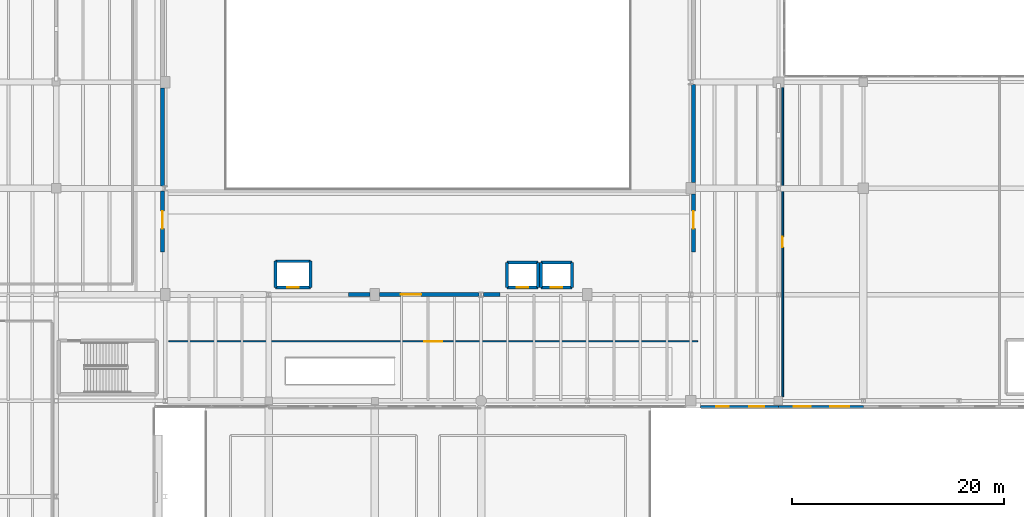
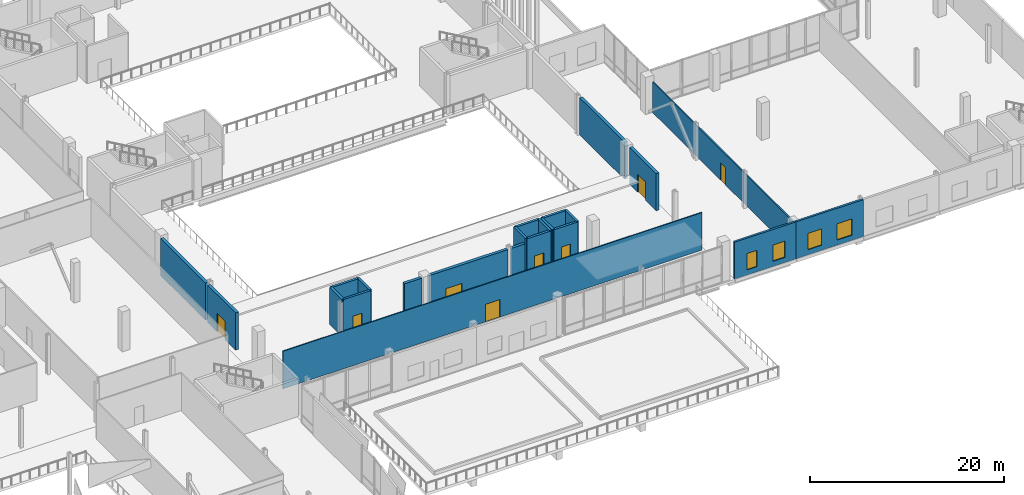
# One storey, part 43 of 60: 23 walls, 8 doors, 4 windows, 12 openings.
"""IFC4 building model written with IfcOpenShell, lengths in metres."""

import ifcopenshell
import ifcopenshell.guid

model = None  # the IFC model being written
_history = None  # IfcOwnerHistory: only IFC2X3 demands one
_inside = {}  # id of a spatial element -> (the spatial element, [elements in it])
_under = {}  # id of a project, library or spatial element -> (it, [spatial elements below it])
_declared = {}  # id of a project -> (the project, [libraries it declares])
_typed = {}  # id of a type object -> (the type object, [elements of that type])
_made_of = {}  # id of a material, layer set ... -> (it, [elements and type objects made of it])


def new_model(schema):
    """Start an empty IFC model of exactly this schema.

    Asked for "IFC4X3", IfcOpenShell would pick the latest addendum, in which some entities
    have other attributes; the version numbers below select the first issue.
    IFC2X3 requires an IfcOwnerHistory on every rooted entity: one is made here for all.
    """
    global model, _history
    if schema == "IFC4X3":
        model = ifcopenshell.file(schema_version=(4, 3, 0, 0))
    else:
        model = ifcopenshell.file(schema=schema)
    _inside.clear()
    _under.clear()
    _declared.clear()
    _typed.clear()
    _made_of.clear()
    _history = None
    if model.schema == "IFC2X3":
        org = make("IfcOrganization", Name="unknown")
        user = make(
            "IfcPersonAndOrganization",
            ThePerson=make("IfcPerson", FamilyName="unknown"),
            TheOrganization=org,
        )
        app = make(
            "IfcApplication",
            ApplicationDeveloper=org,
            Version="unknown",
            ApplicationFullName="unknown",
            ApplicationIdentifier="unknown",
        )
        _history = make(
            "IfcOwnerHistory",
            OwningUser=user,
            OwningApplication=app,
            ChangeAction="ADDED",
            CreationDate=0,
        )
    return model


def make(cls, **values):
    """One entity of the class cls with the attributes given. An attribute that is None is left unset."""
    return model.create_entity(
        cls, **{name: value for name, value in values.items() if value is not None}
    )


def rooted(cls, **values):
    """An entity with a GlobalId (a new one), such as an element, a storey or a relation."""
    return make(cls, GlobalId=ifcopenshell.guid.new(), OwnerHistory=_history, **values)


def si_unit(unit_type, name, prefix=None):
    """IfcSIUnit, for example si_unit("LENGTHUNIT", "METRE", prefix="MILLI")."""
    return make("IfcSIUnit", UnitType=unit_type, Prefix=prefix, Name=name)


def assignment(units):
    """IfcUnitAssignment: the units of a project."""
    return None if units is None else make("IfcUnitAssignment", Units=units)


def point(xyz):
    """IfcCartesianPoint."""
    return None if xyz is None else make("IfcCartesianPoint", Coordinates=xyz)


def direction(xyz):
    """IfcDirection."""
    return None if xyz is None else make("IfcDirection", DirectionRatios=xyz)


def frame(location, z_axis=None, x_axis=None):
    """IfcAxis2Placement3D, a coordinate frame: its origin and axes. An axis left out is left unset."""
    return make(
        "IfcAxis2Placement3D",
        Location=point(location),
        Axis=direction(z_axis),
        RefDirection=direction(x_axis),
    )


def frame_2d(location, x_axis=None):
    """IfcAxis2Placement2D, a coordinate frame in the plane: its origin and x axis."""
    return make(
        "IfcAxis2Placement2D", Location=point(location), RefDirection=direction(x_axis)
    )


def origin():
    """The frame at (0, 0, 0) with its axes left unset."""
    return frame((0.0, 0.0, 0.0))


def place(relative_to, where):
    """IfcLocalPlacement: puts the frame where relative to a parent placement (None: the world)."""
    return make(
        "IfcLocalPlacement", PlacementRelTo=relative_to, RelativePlacement=where
    )


def context(
    kind, dimensions, precision=None, world=None, true_north=None, identifier=None
):
    """IfcGeometricRepresentationContext, for example the 3D "Model" context."""
    return make(
        "IfcGeometricRepresentationContext",
        ContextIdentifier=identifier,
        ContextType=kind,
        CoordinateSpaceDimension=dimensions,
        Precision=precision,
        WorldCoordinateSystem=world,
        TrueNorth=true_north,
    )


def subcontext(parent, identifier, kind, view, scale=None):
    """IfcGeometricRepresentationSubContext, for example "Body" below "Model"."""
    return make(
        "IfcGeometricRepresentationSubContext",
        ContextIdentifier=identifier,
        ContextType=kind,
        ParentContext=parent,
        TargetScale=scale,
        TargetView=view,
    )


def project(units=None, contexts=None):
    """IfcProject with its units and contexts."""
    return rooted(
        "IfcProject",
        Name="project",
        RepresentationContexts=contexts,
        UnitsInContext=assignment(units),
    )


def spatial(cls, under=None, at=None, **own):
    """A site, building, storey or space (cls), placed at a placement, below another one or the project."""
    s = rooted(cls, ObjectPlacement=at, **own)
    if under is not None:
        _under.setdefault(under.id(), (under, []))[1].append(s)
    return s


def profile(cls, at=None, kind="AREA", **sizes):
    """A parametric profile (cls). Its sizes go by their IFC names, for example OverallWidth=200.0."""
    return make(cls, ProfileType=kind, Position=at, **sizes)


def rectangle(**sizes):
    """IfcRectangleProfileDef."""
    return profile("IfcRectangleProfileDef", **sizes)


def extrude(swept, where, along, depth):
    """IfcExtrudedAreaSolid: the profile swept, set in the frame where, extruded along a direction by depth."""
    return make(
        "IfcExtrudedAreaSolid",
        SweptArea=swept,
        Position=where,
        ExtrudedDirection=direction(along),
        Depth=depth,
    )


def shape(context_of_items, identifier, shape_type, items):
    """IfcShapeRepresentation: the items that make up one representation, for example the "Body"."""
    return make(
        "IfcShapeRepresentation",
        ContextOfItems=context_of_items,
        RepresentationIdentifier=identifier,
        RepresentationType=shape_type,
        Items=items,
    )


def material(Name=None, Category=None):
    """IfcMaterial."""
    return make("IfcMaterial", Name=Name, Category=Category)


def layer(
    of_material, thickness, ventilated=None, Name=None, Category=None, Priority=None
):
    """IfcMaterialLayer: one layer of a wall or slab, of a material (None: an air gap)."""
    return make(
        "IfcMaterialLayer",
        Material=of_material,
        LayerThickness=thickness,
        IsVentilated=ventilated,
        Name=Name,
        Category=Category,
        Priority=Priority,
    )


def layer_set(layers, Name=None):
    """IfcMaterialLayerSet."""
    return make("IfcMaterialLayerSet", MaterialLayers=layers, LayerSetName=Name)


def made_of(thing, what):
    """Note that an element or type object is made of a material, layer set ...; save() writes the relation."""
    if what is not None:
        _made_of.setdefault(what.id(), (what, []))[1].append(thing)
    return thing


def type_object(cls, material=None, **own):
    """A type object (cls), such as IfcWallType, which elements share."""
    return made_of(rooted(cls, **own), material)


def element(
    cls,
    number,
    at=None,
    inside=None,
    cuts=None,
    type_object=None,
    material=None,
    context=None,
    identifier="Body",
    shape_type=None,
    held_by="IfcProductDefinitionShape",
    body=None,
    shapes=None,
    **own,
):
    """One element of the class cls, such as IfcWall. Its Tag is "e" and its number.

    at: its placement. inside: the storey or other place that contains it. cuts: it is an
    opening in that element (IfcRelVoidsElement). A single representation is given by context,
    identifier, shape_type and body (its items); several are given by shapes. held_by: the class
    of the entity that holds the representations. save() writes the other relations.
    """
    e = rooted(cls, Tag="e%d" % number, ObjectPlacement=at, **own)
    if body is not None:
        shapes = [shape(context, identifier, shape_type, body)]
    if shapes is not None:
        e.Representation = make(held_by, Representations=shapes)
    if inside is not None:
        _inside.setdefault(inside.id(), (inside, []))[1].append(e)
    if cuts is not None:
        rooted(
            "IfcRelVoidsElement", RelatingBuildingElement=cuts, RelatedOpeningElement=e
        )
    if type_object is not None:
        _typed.setdefault(type_object.id(), (type_object, []))[1].append(e)
    return made_of(e, material)


def fill(opening, filler):
    """IfcRelFillsElement: the door or window that sits in an opening."""
    return rooted(
        "IfcRelFillsElement",
        RelatingOpeningElement=opening,
        RelatedBuildingElement=filler,
    )


def aggregate(whole, parts):
    """IfcRelAggregates: a whole, such as a stair, and the parts it consists of."""
    return rooted("IfcRelAggregates", RelatingObject=whole, RelatedObjects=parts)


def save(model, path):
    """Write the relations noted so far, then the file.

    IfcRelAggregates (storeys below a building ...), IfcRelContainedInSpatialStructure (elements
    in a storey), IfcRelDefinesByType, IfcRelAssociatesMaterial and IfcRelDeclares: one each for
    every whole, place, type object, material and project.
    """
    for whole, parts in _under.values():
        aggregate(whole, parts)
    for where, things in _inside.values():
        rooted(
            "IfcRelContainedInSpatialStructure",
            RelatedElements=things,
            RelatingStructure=where,
        )
    for kind, things in _typed.values():
        rooted("IfcRelDefinesByType", RelatedObjects=things, RelatingType=kind)
    for what, things in _made_of.values():
        rooted("IfcRelAssociatesMaterial", RelatedObjects=things, RelatingMaterial=what)
    for by, libraries in _declared.values():
        rooted("IfcRelDeclares", RelatingContext=by, RelatedDefinitions=libraries)
    model.write(path)


model = new_model("IFC4")

# Units and contexts
model_context = context("Model", 3, precision=1e-05, world=origin(), true_north=direction((0.0, 1.0)))
body_context = subcontext(model_context, "Body", "Model", "MODEL_VIEW")
ifc_project = project(units=[si_unit("LENGTHUNIT", "METRE"), si_unit("AREAUNIT", "SQUARE_METRE"), si_unit("VOLUMEUNIT", "CUBIC_METRE"), si_unit("PLANEANGLEUNIT", "RADIAN"), si_unit("MASSUNIT", "GRAM", prefix="KILO")], contexts=[model_context])

# Site, building, storey
site_placement = place(None, origin())
site = spatial("IfcSite", under=ifc_project, at=site_placement, CompositionType="ELEMENT")
building_placement = place(site_placement, origin())
building = spatial("IfcBuilding", under=site, at=building_placement, Name="Trimount Lyric Opera House", CompositionType="ELEMENT")
storey_placement = place(building_placement, frame((0.0, 0.0, 15.0)))
storey = spatial("IfcBuildingStorey", under=building, at=storey_placement, Name="L03", CompositionType="ELEMENT", Elevation=15.0)

# Wall, opening, door
ifc_material_1 = material(Name="Gypsum Board Partition")
ifc_layer_1 = layer(ifc_material_1, 0.1201171875)
ifc_layer_set_1 = layer_set([ifc_layer_1], Name="WL-PT120")
wall_type_1 = type_object("IfcWallType", Name="WL-PT120", PredefinedType="PARTITIONING", material=ifc_layer_set_1)
wall_1_placement = place(storey_placement, frame((114.39990234375, 49.60009765625, 0.0), z_axis=(0.0, 0.0, 1.0), x_axis=(-1.0, 0.0, 0.0)))
wall_1 = element("IfcWall", 1, at=wall_1_placement, inside=storey, type_object=wall_type_1, Name="L03 Grand Tier South Concourse Foyer N partition", PredefinedType="PARTITIONING", context=body_context, shape_type="SweptSolid", body=[
    extrude(rectangle(XDim=49.7998046875, YDim=0.1201171875, at=frame_2d((24.89990234375, 0.0))), origin(), (0.0, 0.0, 1.0), 4.719970703125),
])
opening_1_placement = place(wall_1_placement, frame((24.050048828125, 0.0, 0.0)))
opening_1 = element("IfcOpeningElement", 2, at=opening_1_placement, cuts=wall_1, Name="Opening DT-COR2", PredefinedType="OPENING", context=body_context, shape_type="SweptSolid", body=[
    extrude(rectangle(XDim=1.699951171875, YDim=2.199951171875, at=frame_2d((0.85009765625, 1.10009765625))), frame((0.0, 0.070068359375, 0.0), z_axis=(0.0, -1.0, 0.0), x_axis=(1.0, 0.0, 0.0)), (0.0, 0.0, 1.0), 0.14013671875),
])
ifc_material_2 = material(Name="Solid Core White Oak")
door_type_1 = type_object("IfcDoorType", Name="DT-COR2", OperationType="DOUBLE_DOOR_SINGLE_SWING", PredefinedType="DOOR", material=ifc_material_2)
door_1_placement = place(opening_1_placement, origin())
door_1 = element("IfcDoor", 3, at=door_1_placement, inside=storey, type_object=door_type_1, Name="D-223", OperationType="DOUBLE_DOOR_SINGLE_SWING", OverallHeight=2.199951171875, OverallWidth=1.699951171875, PredefinedType="DOOR", context=body_context, shape_type="SweptSolid", body=[
    extrude(rectangle(XDim=1.699951171875, YDim=2.199951171875, at=frame_2d((0.85009765625, 1.10009765625))), frame((0.0, 0.02490234375, 0.0), z_axis=(0.0, -1.0, 0.0), x_axis=(1.0, 0.0, 0.0)), (0.0, 0.0, 1.0), 0.050048828125),
])
fill(opening_1, door_1)

ifc_material_3 = material(Name="Fire-Rated Gypsum Board Partition")
ifc_layer_2 = layer(ifc_material_3, 0.14990234375)
ifc_layer_set_2 = layer_set([ifc_layer_2], Name="WL-PT150")
wall_type_2 = type_object("IfcWallType", Name="WL-PT150", PredefinedType="PARTITIONING", material=ifc_layer_set_2)
wall_2_placement = place(storey_placement, frame((122.39990234375, 73.5, 0.0), z_axis=(0.0, 0.0, 1.0), x_axis=(0.0, -1.0, 0.0)))
wall_2 = element("IfcWall", 4, at=wall_2_placement, inside=storey, type_object=wall_type_2, Name="L03 Tailoring, Dye & Fitting Atelier W partition", PredefinedType="PARTITIONING", context=body_context, shape_type="SweptSolid", body=[
    extrude(rectangle(XDim=29.10009765625, YDim=0.14990234375, at=frame_2d((14.550048828125, 0.0))), origin(), (0.0, 0.0, 1.0), 3.840087890625),
])
opening_2_placement = place(wall_2_placement, frame((14.050048828125, 0.0, 0.0)))
opening_2 = element("IfcOpeningElement", 5, at=opening_2_placement, cuts=wall_2, Name="Opening DT-RM1", PredefinedType="OPENING", context=body_context, shape_type="SweptSolid", body=[
    extrude(rectangle(XDim=1.0, YDim=2.14990234375, at=frame_2d((0.5, 1.074951171875))), frame((0.0, 0.0849609375, 0.0), z_axis=(0.0, -1.0, 0.0), x_axis=(1.0, 0.0, 0.0)), (0.0, 0.0, 1.0), 0.169921875),
])
ifc_material_4 = material(Name="Solid Core White Oak")
door_type_2 = type_object("IfcDoorType", Name="DT-RM1", OperationType="NOTDEFINED", PredefinedType="DOOR", material=ifc_material_4)
door_2_placement = place(opening_2_placement, origin())
door_2 = element("IfcDoor", 6, at=door_2_placement, inside=storey, type_object=door_type_2, Name="D-230", OperationType="SINGLE_SWING_RIGHT", OverallHeight=2.14990234375, OverallWidth=1.0, PredefinedType="DOOR", context=body_context, shape_type="SweptSolid", body=[
    extrude(rectangle(XDim=1.0, YDim=2.14990234375, at=frame_2d((0.5, 1.074951171875))), frame((0.0, 0.02490234375, 0.0), z_axis=(0.0, -1.0, 0.0), x_axis=(1.0, 0.0, 0.0)), (0.0, 0.0, 1.0), 0.050048828125),
])
fill(opening_2, door_2)

ifc_material_5 = material(Name="Concrete C40/50", Category="concrete")
ifc_layer_3 = layer(ifc_material_5, 0.280029296875)
ifc_layer_set_3 = layer_set([ifc_layer_3], Name="WL-SH280")
wall_type_3 = type_object("IfcWallType", Name="WL-SH280", PredefinedType="SHEAR", material=ifc_layer_set_3)
wall_3_placement = place(storey_placement, frame((74.659912109375, 54.659912109375, 0.0), z_axis=(0.0, 0.0, 1.0), x_axis=(1.0, 0.0, 0.0)))
wall_3 = element("IfcWall", 7, at=wall_3_placement, inside=storey, type_object=wall_type_3, Name="Lift LF-02 L03 south shaft wall", PredefinedType="SHEAR", context=body_context, shape_type="SweptSolid", body=[
    extrude(rectangle(XDim=3.280029296875, YDim=0.280029296875, at=frame_2d((1.64013671875, 0.0))), origin(), (0.0, 0.0, 1.0), 4.675048828125),
])
opening_3_placement = place(wall_3_placement, frame((1.090087890625, 0.0, 0.0)))
opening_3 = element("IfcOpeningElement", 8, at=opening_3_placement, cuts=wall_3, Name="Opening DT-LD1", PredefinedType="OPENING", context=body_context, shape_type="SweptSolid", body=[
    extrude(rectangle(XDim=1.10009765625, YDim=2.199951171875, at=frame_2d((0.550048828125, 1.10009765625))), frame((0.0, 0.14990234375, 0.0), z_axis=(0.0, -1.0, 0.0), x_axis=(1.0, 0.0, 0.0)), (0.0, 0.0, 1.0), 0.300048828125),
])
ifc_material_6 = material(Name="Brushed Stainless Steel", Category="steel")
door_type_3 = type_object("IfcDoorType", Name="DT-LD1", OperationType="SLIDING_TO_LEFT", PredefinedType="DOOR", material=ifc_material_6)
door_3_placement = place(opening_3_placement, origin())
door_3 = element("IfcDoor", 9, at=door_3_placement, inside=storey, type_object=door_type_3, Name="D-077", OperationType="SLIDING_TO_LEFT", OverallHeight=2.199951171875, OverallWidth=1.10009765625, PredefinedType="DOOR", context=body_context, shape_type="SweptSolid", body=[
    extrude(rectangle(XDim=1.10009765625, YDim=2.199951171875, at=frame_2d((0.550048828125, 1.10009765625))), frame((0.0, 0.02490234375, 0.0), z_axis=(0.0, -1.0, 0.0), x_axis=(1.0, 0.0, 0.0)), (0.0, 0.0, 1.0), 0.050048828125),
])
fill(opening_3, door_3)

# Walls
wall_4_placement = place(storey_placement, frame((77.93994140625, 57.139892578125, 0.0), z_axis=(0.0, 0.0, 1.0), x_axis=(-1.0, 0.0, 0.0)))
element("IfcWall", 10, at=wall_4_placement, inside=storey, type_object=wall_type_3, Name="Lift LF-02 L03 north shaft wall", PredefinedType="SHEAR", context=body_context, shape_type="SweptSolid", body=[
    extrude(rectangle(XDim=3.280029296875, YDim=0.280029296875, at=frame_2d((1.64013671875, 0.0))), origin(), (0.0, 0.0, 1.0), 4.675048828125),
])
for number, where, z_axis, x_axis, name in (
    (11, (74.659912109375, 57.139892578125, 0.0), (0.0, 0.0, 1.0), (0.0, -1.0, 0.0), "Lift LF-02 L03 west shaft wall"),
    (12, (77.93994140625, 54.659912109375, 0.0), (0.0, 0.0, 1.0), (0.0, 1.0, 0.0), "Lift LF-02 L03 east shaft wall"),
):
    element("IfcWall", number, at=place(storey_placement, frame(where, z_axis=z_axis, x_axis=x_axis)), inside=storey, type_object=wall_type_3, Name=name, PredefinedType="SHEAR", context=body_context, shape_type="SweptSolid", body=[
        extrude(rectangle(XDim=2.47998046875, YDim=0.280029296875, at=frame_2d((1.239990234375, 0.0))), origin(), (0.0, 0.0, 1.0), 4.675048828125),
    ])

# Wall, opening, door
wall_5_placement = place(storey_placement, frame((96.4599609375, 54.659912109375, 0.0), z_axis=(0.0, 0.0, 1.0), x_axis=(1.0, 0.0, 0.0)))
wall_5 = element("IfcWall", 13, at=wall_5_placement, inside=storey, type_object=wall_type_3, Name="Lift LF-03 L03 south shaft wall", PredefinedType="SHEAR", context=body_context, shape_type="SweptSolid", body=[
    extrude(rectangle(XDim=2.880126953125, YDim=0.280029296875, at=frame_2d((1.43994140625, 0.0))), origin(), (0.0, 0.0, 1.0), 4.675048828125),
])
opening_4_placement = place(wall_5_placement, frame((0.889892578125, 0.0, 0.0)))
opening_4 = element("IfcOpeningElement", 14, at=opening_4_placement, cuts=wall_5, Name="Opening DT-LD1", PredefinedType="OPENING", context=body_context, shape_type="SweptSolid", body=[
    extrude(rectangle(XDim=1.10009765625, YDim=2.199951171875, at=frame_2d((0.550048828125, 1.10009765625))), frame((0.0, 0.14990234375, 0.0), z_axis=(0.0, -1.0, 0.0), x_axis=(1.0, 0.0, 0.0)), (0.0, 0.0, 1.0), 0.300048828125),
])
door_4_placement = place(opening_4_placement, origin())
door_4 = element("IfcDoor", 15, at=door_4_placement, inside=storey, type_object=door_type_3, Name="D-083", OperationType="SLIDING_TO_LEFT", OverallHeight=2.199951171875, OverallWidth=1.10009765625, PredefinedType="DOOR", context=body_context, shape_type="SweptSolid", body=[
    extrude(rectangle(XDim=1.10009765625, YDim=2.199951171875, at=frame_2d((0.550048828125, 1.10009765625))), frame((0.0, 0.02490234375, 0.0), z_axis=(0.0, -1.0, 0.0), x_axis=(1.0, 0.0, 0.0)), (0.0, 0.0, 1.0), 0.050048828125),
])
fill(opening_4, door_4)

# Walls
wall_6_placement = place(storey_placement, frame((99.340087890625, 57.0400390625, 0.0), z_axis=(0.0, 0.0, 1.0), x_axis=(-1.0, 0.0, 0.0)))
element("IfcWall", 16, at=wall_6_placement, inside=storey, type_object=wall_type_3, Name="Lift LF-03 L03 north shaft wall", PredefinedType="SHEAR", context=body_context, shape_type="SweptSolid", body=[
    extrude(rectangle(XDim=2.880126953125, YDim=0.280029296875, at=frame_2d((1.43994140625, 0.0))), origin(), (0.0, 0.0, 1.0), 4.675048828125),
])
for number, where, z_axis, x_axis, name in (
    (17, (96.4599609375, 57.0400390625, 0.0), (0.0, 0.0, 1.0), (0.0, -1.0, 0.0), "Lift LF-03 L03 west shaft wall"),
    (18, (99.340087890625, 54.659912109375, 0.0), (0.0, 0.0, 1.0), (0.0, 1.0, 0.0), "Lift LF-03 L03 east shaft wall"),
):
    element("IfcWall", number, at=place(storey_placement, frame(where, z_axis=z_axis, x_axis=x_axis)), inside=storey, type_object=wall_type_3, Name=name, PredefinedType="SHEAR", context=body_context, shape_type="SweptSolid", body=[
        extrude(rectangle(XDim=2.380126953125, YDim=0.280029296875, at=frame_2d((1.18994140625, 0.0))), origin(), (0.0, 0.0, 1.0), 4.675048828125),
    ])

# Wall, opening, door
wall_7_placement = place(storey_placement, frame((99.659912109375, 54.659912109375, 0.0), z_axis=(0.0, 0.0, 1.0), x_axis=(1.0, 0.0, 0.0)))
wall_7 = element("IfcWall", 19, at=wall_7_placement, inside=storey, type_object=wall_type_3, Name="Lift LF-04 L03 south shaft wall", PredefinedType="SHEAR", context=body_context, shape_type="SweptSolid", body=[
    extrude(rectangle(XDim=2.880126953125, YDim=0.280029296875, at=frame_2d((1.43994140625, 0.0))), origin(), (0.0, 0.0, 1.0), 4.675048828125),
])
opening_5_placement = place(wall_7_placement, frame((0.889892578125, 0.0, 0.0)))
opening_5 = element("IfcOpeningElement", 20, at=opening_5_placement, cuts=wall_7, Name="Opening DT-LD1", PredefinedType="OPENING", context=body_context, shape_type="SweptSolid", body=[
    extrude(rectangle(XDim=1.10009765625, YDim=2.199951171875, at=frame_2d((0.550048828125, 1.10009765625))), frame((0.0, 0.14990234375, 0.0), z_axis=(0.0, -1.0, 0.0), x_axis=(1.0, 0.0, 0.0)), (0.0, 0.0, 1.0), 0.300048828125),
])
door_5_placement = place(opening_5_placement, origin())
door_5 = element("IfcDoor", 21, at=door_5_placement, inside=storey, type_object=door_type_3, Name="D-089", OperationType="SLIDING_TO_LEFT", OverallHeight=2.199951171875, OverallWidth=1.10009765625, PredefinedType="DOOR", context=body_context, shape_type="SweptSolid", body=[
    extrude(rectangle(XDim=1.10009765625, YDim=2.199951171875, at=frame_2d((0.550048828125, 1.10009765625))), frame((0.0, 0.02490234375, 0.0), z_axis=(0.0, -1.0, 0.0), x_axis=(1.0, 0.0, 0.0)), (0.0, 0.0, 1.0), 0.050048828125),
])
fill(opening_5, door_5)

# Walls
wall_8_placement = place(storey_placement, frame((102.5400390625, 57.0400390625, 0.0), z_axis=(0.0, 0.0, 1.0), x_axis=(-1.0, 0.0, 0.0)))
element("IfcWall", 22, at=wall_8_placement, inside=storey, type_object=wall_type_3, Name="Lift LF-04 L03 north shaft wall", PredefinedType="SHEAR", context=body_context, shape_type="SweptSolid", body=[
    extrude(rectangle(XDim=2.880126953125, YDim=0.280029296875, at=frame_2d((1.43994140625, 0.0))), origin(), (0.0, 0.0, 1.0), 4.675048828125),
])
for number, where, z_axis, x_axis, name in (
    (23, (99.659912109375, 57.0400390625, 0.0), (0.0, 0.0, 1.0), (0.0, -1.0, 0.0), "Lift LF-04 L03 west shaft wall"),
    (24, (102.5400390625, 54.659912109375, 0.0), (0.0, 0.0, 1.0), (0.0, 1.0, 0.0), "Lift LF-04 L03 east shaft wall"),
):
    element("IfcWall", number, at=place(storey_placement, frame(where, z_axis=z_axis, x_axis=x_axis)), inside=storey, type_object=wall_type_3, Name=name, PredefinedType="SHEAR", context=body_context, shape_type="SweptSolid", body=[
        extrude(rectangle(XDim=2.380126953125, YDim=0.280029296875, at=frame_2d((1.18994140625, 0.0))), origin(), (0.0, 0.0, 1.0), 4.675048828125),
    ])

# Wall, opening, door
ifc_material_7 = material(Name="Concrete C40/50", Category="concrete")
ifc_layer_4 = layer(ifc_material_7, 0.35009765625)
ifc_layer_set_4 = layer_set([ifc_layer_4], Name="WL-SH350")
wall_type_4 = type_object("IfcWallType", Name="WL-SH350", PredefinedType="SHEAR", material=ifc_layer_set_4)
wall_9_placement = place(storey_placement, frame((64.0, 58.0, 0.0), z_axis=(0.0, 0.0, 1.0), x_axis=(0.0, 1.0, 0.0)))
wall_9 = element("IfcWall", 25, at=wall_9_placement, inside=storey, type_object=wall_type_4, Name="L03 auditorium west acoustic shear wall", PredefinedType="SHEAR", context=body_context, shape_type="SweptSolid", body=[
    extrude(rectangle(XDim=5.767578125, YDim=0.35009765625, at=frame_2d((2.8837890625, 0.0))), origin(), (0.0, 0.0, 1.0), 4.675048828125),
])
opening_6_placement = place(wall_9_placement, frame((2.199951171875, 0.0, 0.0)))
opening_6 = element("IfcOpeningElement", 26, at=opening_6_placement, cuts=wall_9, Name="Opening DT-AUD2", PredefinedType="OPENING", context=body_context, shape_type="SweptSolid", body=[
    extrude(rectangle(XDim=1.64990234375, YDim=2.300048828125, at=frame_2d((0.824951171875, 1.14990234375))), frame((0.0, 0.18505859375, 0.0), z_axis=(0.0, -1.0, 0.0), x_axis=(1.0, 0.0, 0.0)), (0.0, 0.0, 1.0), 0.3701171875),
])
ifc_material_8 = material(Name="Solid White Oak Acoustic")
door_type_4 = type_object("IfcDoorType", Name="DT-AUD2", OperationType="DOUBLE_DOOR_SINGLE_SWING", PredefinedType="DOOR", material=ifc_material_8)
door_6_placement = place(opening_6_placement, origin())
door_6 = element("IfcDoor", 27, at=door_6_placement, inside=storey, type_object=door_type_4, Name="D-129", OperationType="DOUBLE_DOOR_SINGLE_SWING", OverallHeight=2.300048828125, OverallWidth=1.64990234375, PredefinedType="DOOR", context=body_context, shape_type="SweptSolid", body=[
    extrude(rectangle(XDim=1.64990234375, YDim=2.300048828125, at=frame_2d((0.824951171875, 1.14990234375))), frame((0.0, 0.02490234375, 0.0), z_axis=(0.0, -1.0, 0.0), x_axis=(1.0, 0.0, 0.0)), (0.0, 0.0, 1.0), 0.050048828125),
])
fill(opening_6, door_6)

# Wall
wall_10_placement = place(storey_placement, frame((64.0, 64.232421875, 0.0), z_axis=(0.0, 0.0, 1.0), x_axis=(0.0, 1.0, 0.0)))
element("IfcWall", 28, at=wall_10_placement, inside=storey, type_object=wall_type_4, Name="L03 auditorium west acoustic shear wall", PredefinedType="SHEAR", context=body_context, shape_type="SweptSolid", body=[
    extrude(rectangle(XDim=9.217529296875, YDim=0.35009765625, at=frame_2d((4.60888671875, 0.0))), origin(), (0.0, 0.0, 1.0), 4.675048828125),
])

# Wall, opening, door
wall_11_placement = place(storey_placement, frame((114.0, 58.0, 0.0), z_axis=(0.0, 0.0, 1.0), x_axis=(0.0, 1.0, 0.0)))
wall_11 = element("IfcWall", 29, at=wall_11_placement, inside=storey, type_object=wall_type_4, Name="L03 auditorium east acoustic shear wall", PredefinedType="SHEAR", context=body_context, shape_type="SweptSolid", body=[
    extrude(rectangle(XDim=5.449951171875, YDim=0.35009765625, at=frame_2d((2.72509765625, 0.0))), origin(), (0.0, 0.0, 1.0), 4.675048828125),
])
opening_7_placement = place(wall_11_placement, frame((2.199951171875, 0.0, 0.0)))
opening_7 = element("IfcOpeningElement", 30, at=opening_7_placement, cuts=wall_11, Name="Opening DT-AUD2", PredefinedType="OPENING", context=body_context, shape_type="SweptSolid", body=[
    extrude(rectangle(XDim=1.64990234375, YDim=2.300048828125, at=frame_2d((0.824951171875, 1.14990234375))), frame((0.0, 0.18505859375, 0.0), z_axis=(0.0, -1.0, 0.0), x_axis=(1.0, 0.0, 0.0)), (0.0, 0.0, 1.0), 0.3701171875),
])
door_7_placement = place(opening_7_placement, origin())
door_7 = element("IfcDoor", 31, at=door_7_placement, inside=storey, type_object=door_type_4, Name="D-130", OperationType="DOUBLE_DOOR_SINGLE_SWING", OverallHeight=2.300048828125, OverallWidth=1.64990234375, PredefinedType="DOOR", context=body_context, shape_type="SweptSolid", body=[
    extrude(rectangle(XDim=1.64990234375, YDim=2.300048828125, at=frame_2d((0.824951171875, 1.14990234375))), frame((0.0, 0.02490234375, 0.0), z_axis=(0.0, -1.0, 0.0), x_axis=(1.0, 0.0, 0.0)), (0.0, 0.0, 1.0), 0.050048828125),
])
fill(opening_7, door_7)

# Walls
wall_12_placement = place(storey_placement, frame((114.0, 64.550048828125, 0.0), z_axis=(0.0, 0.0, 1.0), x_axis=(0.0, 1.0, 0.0)))
element("IfcWall", 32, at=wall_12_placement, inside=storey, type_object=wall_type_4, Name="L03 auditorium east acoustic shear wall", PredefinedType="SHEAR", context=body_context, shape_type="SweptSolid", body=[
    extrude(rectangle(XDim=9.217529296875, YDim=0.35009765625, at=frame_2d((4.60888671875, 0.0))), origin(), (0.0, 0.0, 1.0), 4.675048828125),
])
wall_13_placement = place(storey_placement, frame((81.5, 54.0, 0.0), z_axis=(0.0, 0.0, 1.0), x_axis=(1.0, 0.0, 0.0)))
element("IfcWall", 33, at=wall_13_placement, inside=storey, type_object=wall_type_4, Name="L03 auditorium south acoustic lobby wall", PredefinedType="SHEAR", context=body_context, shape_type="SweptSolid", body=[
    extrude(rectangle(XDim=2.050048828125, YDim=0.35009765625, at=frame_2d((1.02490234375, 0.0))), origin(), (0.0, 0.0, 1.0), 4.675048828125),
])

# Wall, opening, door
wall_14_placement = place(storey_placement, frame((84.449951171875, 54.0, 0.0), z_axis=(0.0, 0.0, 1.0), x_axis=(1.0, 0.0, 0.0)))
wall_14 = element("IfcWall", 34, at=wall_14_placement, inside=storey, type_object=wall_type_4, Name="L03 auditorium south acoustic lobby wall", PredefinedType="SHEAR", context=body_context, shape_type="SweptSolid", body=[
    extrude(rectangle(XDim=9.339111328125, YDim=0.35009765625, at=frame_2d((4.66943359375, 0.0))), origin(), (0.0, 0.0, 1.0), 4.675048828125),
])
opening_8_placement = place(wall_14_placement, frame((2.0, 0.0, 0.0)))
opening_8 = element("IfcOpeningElement", 35, at=opening_8_placement, cuts=wall_14, Name="Opening DT-AUD1", PredefinedType="OPENING", context=body_context, shape_type="SweptSolid", body=[
    extrude(rectangle(XDim=1.89990234375, YDim=2.35009765625, at=frame_2d((0.949951171875, 1.175048828125))), frame((0.0, 0.18505859375, 0.0), z_axis=(0.0, -1.0, 0.0), x_axis=(1.0, 0.0, 0.0)), (0.0, 0.0, 1.0), 0.3701171875),
])
ifc_material_9 = material(Name="Solid White Oak Acoustic")
door_type_5 = type_object("IfcDoorType", Name="DT-AUD1", OperationType="DOUBLE_DOOR_SINGLE_SWING", PredefinedType="DOOR", material=ifc_material_9)
door_8_placement = place(opening_8_placement, origin())
door_8 = element("IfcDoor", 36, at=door_8_placement, inside=storey, type_object=door_type_5, Name="D-128", OperationType="DOUBLE_DOOR_SINGLE_SWING", OverallHeight=2.35009765625, OverallWidth=1.89990234375, PredefinedType="DOOR", context=body_context, shape_type="SweptSolid", body=[
    extrude(rectangle(XDim=1.89990234375, YDim=2.35009765625, at=frame_2d((0.949951171875, 1.175048828125))), frame((0.0, 0.02490234375, 0.0), z_axis=(0.0, -1.0, 0.0), x_axis=(1.0, 0.0, 0.0)), (0.0, 0.0, 1.0), 0.050048828125),
])
fill(opening_8, door_8)

# Wall
wall_15_placement = place(storey_placement, frame((94.2109375, 54.0, 0.0), z_axis=(0.0, 0.0, 1.0), x_axis=(1.0, 0.0, 0.0)))
element("IfcWall", 37, at=wall_15_placement, inside=storey, type_object=wall_type_4, Name="L03 auditorium south acoustic lobby wall", PredefinedType="SHEAR", context=body_context, shape_type="SweptSolid", body=[
    extrude(rectangle(XDim=1.589111328125, YDim=0.35009765625, at=frame_2d((0.79443359375, 0.0))), origin(), (0.0, 0.0, 1.0), 4.675048828125),
])

# Wall, openings, windows
ifc_material_10 = material(Name="Concrete C35/45", Category="concrete")
ifc_layer_5 = layer(ifc_material_10, 0.239990234375)
ifc_layer_set_5 = layer_set([ifc_layer_5], Name="WL-SW240")
wall_type_5 = type_object("IfcWallType", Name="WL-SW240", PredefinedType="SOLIDWALL", material=ifc_layer_set_5)
wall_16_placement = place(storey_placement, frame((130.0, 43.4599609375, 0.0), z_axis=(0.0, 0.0, 1.0), x_axis=(-1.0, 0.0, 0.0)))
wall_16 = element("IfcWall", 38, at=wall_16_placement, inside=storey, type_object=wall_type_5, Name="L03 exterior facade wall 278", PredefinedType="SOLIDWALL", context=body_context, shape_type="SweptSolid", body=[
    extrude(rectangle(XDim=8.0, YDim=0.239990234375, at=frame_2d((4.0, 0.0))), origin(), (0.0, 0.0, 1.0), 4.64990234375),
])
opening_9_placement = place(wall_16_placement, frame((1.340087890625, 0.0, 0.64990234375)))
opening_9 = element("IfcOpeningElement", 39, at=opening_9_placement, cuts=wall_16, Name="Opening WT-11", PredefinedType="OPENING", context=body_context, shape_type="SweptSolid", body=[
    extrude(rectangle(XDim=1.800048828125, YDim=2.050048828125, at=frame_2d((0.89990234375, 1.02490234375))), frame((0.0, 0.1298828125, 0.0), z_axis=(0.0, -1.0, 0.0), x_axis=(1.0, 0.0, 0.0)), (0.0, 0.0, 1.0), 0.260009765625),
])
opening_10_placement = place(wall_16_placement, frame((4.9599609375, 0.0, 0.64990234375)))
opening_10 = element("IfcOpeningElement", 40, at=opening_10_placement, cuts=wall_16, Name="Opening WT-12", PredefinedType="OPENING", context=body_context, shape_type="SweptSolid", body=[
    extrude(rectangle(XDim=1.60009765625, YDim=2.050048828125, at=frame_2d((0.800048828125, 1.02490234375))), frame((0.0, 0.1298828125, 0.0), z_axis=(0.0, -1.0, 0.0), x_axis=(1.0, 0.0, 0.0)), (0.0, 0.0, 1.0), 0.260009765625),
])
ifc_material_11 = material(Name="Low-E Insulated Glazing in Bronze Frame", Category="glass")
window_type_1 = type_object("IfcWindowType", Name="WT-11", PartitioningType="DOUBLE_PANEL_VERTICAL", PredefinedType="WINDOW", material=ifc_material_11)
window_1_placement = place(opening_9_placement, origin())
window_1 = element("IfcWindow", 41, at=window_1_placement, inside=storey, type_object=window_type_1, Name="Window WT-11-0245", OverallHeight=2.050048828125, OverallWidth=1.800048828125, PartitioningType="SINGLE_PANEL", PredefinedType="WINDOW", context=body_context, shape_type="SweptSolid", body=[
    extrude(rectangle(XDim=1.800048828125, YDim=2.050048828125, at=frame_2d((0.89990234375, 1.02490234375))), frame((0.0, 0.030029296875, 0.0), z_axis=(0.0, -1.0, 0.0), x_axis=(1.0, 0.0, 0.0)), (0.0, 0.0, 1.0), 0.06005859375),
])
fill(opening_9, window_1)
ifc_material_12 = material(Name="Low-E Insulated Glazing in Bronze Frame", Category="glass")
window_type_2 = type_object("IfcWindowType", Name="WT-12", PartitioningType="SINGLE_PANEL", PredefinedType="WINDOW", material=ifc_material_12)
window_2_placement = place(opening_10_placement, origin())
window_2 = element("IfcWindow", 42, at=window_2_placement, inside=storey, type_object=window_type_2, Name="Window WT-12-0246", OverallHeight=2.050048828125, OverallWidth=1.60009765625, PartitioningType="SINGLE_PANEL", PredefinedType="WINDOW", context=body_context, shape_type="SweptSolid", body=[
    extrude(rectangle(XDim=1.60009765625, YDim=2.050048828125, at=frame_2d((0.800048828125, 1.02490234375))), frame((0.0, 0.030029296875, 0.0), z_axis=(0.0, -1.0, 0.0), x_axis=(1.0, 0.0, 0.0)), (0.0, 0.0, 1.0), 0.06005859375),
])
fill(opening_10, window_2)

wall_17_placement = place(storey_placement, frame((122.0, 43.4599609375, 0.0), z_axis=(0.0, 0.0, 1.0), x_axis=(-1.0, 0.0, 0.0)))
wall_17 = element("IfcWall", 43, at=wall_17_placement, inside=storey, type_object=wall_type_5, Name="L03 exterior facade wall 279", PredefinedType="SOLIDWALL", context=body_context, shape_type="SweptSolid", body=[
    extrude(rectangle(XDim=7.320068359375, YDim=0.239990234375, at=frame_2d((3.66015625, 0.0))), origin(), (0.0, 0.0, 1.0), 4.64990234375),
])
opening_11_placement = place(wall_17_placement, frame((1.349609375, 0.0, 0.64990234375)))
opening_11 = element("IfcOpeningElement", 44, at=opening_11_placement, cuts=wall_17, Name="Opening WT-13", PredefinedType="OPENING", context=body_context, shape_type="SweptSolid", body=[
    extrude(rectangle(XDim=1.39990234375, YDim=2.050048828125, at=frame_2d((0.699951171875, 1.02490234375))), frame((0.0, 0.1298828125, 0.0), z_axis=(0.0, -1.0, 0.0), x_axis=(1.0, 0.0, 0.0)), (0.0, 0.0, 1.0), 0.260009765625),
])
opening_12_placement = place(wall_17_placement, frame((4.67041015625, 0.0, 0.64990234375)))
opening_12 = element("IfcOpeningElement", 45, at=opening_12_placement, cuts=wall_17, Name="Opening WT-14", PredefinedType="OPENING", context=body_context, shape_type="SweptSolid", body=[
    extrude(rectangle(XDim=1.199951171875, YDim=2.050048828125, at=frame_2d((0.60009765625, 1.02490234375))), frame((0.0, 0.1298828125, 0.0), z_axis=(0.0, -1.0, 0.0), x_axis=(1.0, 0.0, 0.0)), (0.0, 0.0, 1.0), 0.260009765625),
])
ifc_material_13 = material(Name="Low-E Insulated Glazing in Bronze Frame", Category="glass")
window_type_3 = type_object("IfcWindowType", Name="WT-13", PartitioningType="SINGLE_PANEL", PredefinedType="WINDOW", material=ifc_material_13)
window_3_placement = place(opening_11_placement, origin())
window_3 = element("IfcWindow", 46, at=window_3_placement, inside=storey, type_object=window_type_3, Name="Window WT-13-0247", OverallHeight=2.050048828125, OverallWidth=1.39990234375, PartitioningType="SINGLE_PANEL", PredefinedType="WINDOW", context=body_context, shape_type="SweptSolid", body=[
    extrude(rectangle(XDim=1.39990234375, YDim=2.050048828125, at=frame_2d((0.699951171875, 1.02490234375))), frame((0.0, 0.030029296875, 0.0), z_axis=(0.0, -1.0, 0.0), x_axis=(1.0, 0.0, 0.0)), (0.0, 0.0, 1.0), 0.06005859375),
])
fill(opening_11, window_3)
ifc_material_14 = material(Name="Low-E Insulated Glazing in Bronze Frame", Category="glass")
window_type_4 = type_object("IfcWindowType", Name="WT-14", PartitioningType="SINGLE_PANEL", PredefinedType="WINDOW", material=ifc_material_14)
window_4_placement = place(opening_12_placement, origin())
window_4 = element("IfcWindow", 47, at=window_4_placement, inside=storey, type_object=window_type_4, Name="Window WT-14-0248", OverallHeight=2.050048828125, OverallWidth=1.199951171875, PartitioningType="SINGLE_PANEL", PredefinedType="WINDOW", context=body_context, shape_type="SweptSolid", body=[
    extrude(rectangle(XDim=1.199951171875, YDim=2.050048828125, at=frame_2d((0.60009765625, 1.02490234375))), frame((0.0, 0.030029296875, 0.0), z_axis=(0.0, -1.0, 0.0), x_axis=(1.0, 0.0, 0.0)), (0.0, 0.0, 1.0), 0.06005859375),
])
fill(opening_12, window_4)

save(model, "model.ifc")
